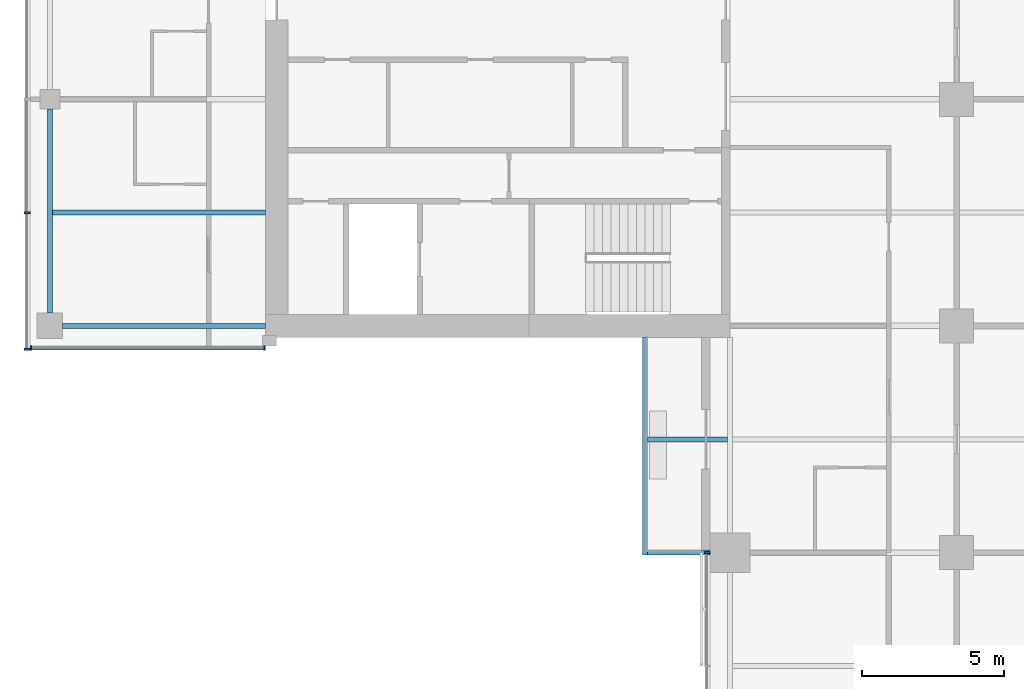
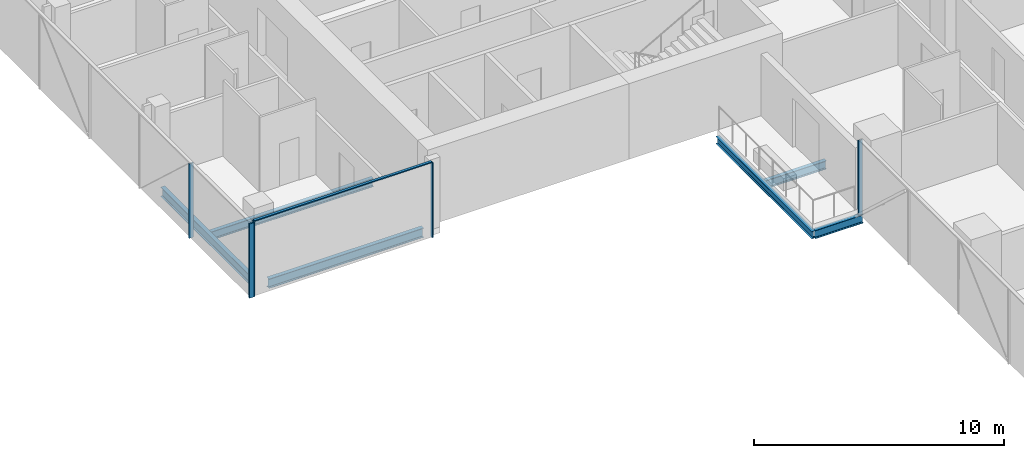
# One storey, part 3 of 27: 6 beams, 6 members, 3 elements without a shape of their own.
"""IFC4 building model written with IfcOpenShell, lengths in metres."""

from ifc_helpers import new_model, si_unit, direction, frame, origin, origin_2d, place, context, subcontext, project, spatial, rectangle, i_section, extrude, material, material_profile, profile_set, type_object, element, aggregate, save


model = new_model("IFC4")

# Units and contexts
model_context = context("Model", 3, precision=1e-05, world=origin(), true_north=direction((0.0, 1.0)))
body_context = subcontext(model_context, "Body", "Model", "MODEL_VIEW")
ifc_project = project(units=[si_unit("LENGTHUNIT", "METRE"), si_unit("AREAUNIT", "SQUARE_METRE"), si_unit("VOLUMEUNIT", "CUBIC_METRE"), si_unit("PLANEANGLEUNIT", "RADIAN"), si_unit("MASSUNIT", "GRAM", prefix="KILO")], contexts=[model_context])

# Site, building, storey
site_placement = place(None, origin())
site = spatial("IfcSite", under=ifc_project, at=site_placement, CompositionType="ELEMENT")
building_placement = place(site_placement, origin())
building = spatial("IfcBuilding", under=site, at=building_placement, Name="Crosswind Convention Tower", CompositionType="ELEMENT")
storey_placement = place(building_placement, frame((0.0, 0.0, 90.5)))
storey = spatial("IfcBuildingStorey", under=building, at=storey_placement, Name="L17", CompositionType="ELEMENT", Elevation=90.5)

# Beams
ifc_material_1 = material(Name="Steel S355", Category="steel")
ifc_material_profile_1 = material_profile(ifc_material_1, i_section(OverallWidth=0.177734375, OverallDepth=0.406494140625, WebThickness=0.0078125, FlangeThickness=0.0126953125, FilletRadius=0.01025390625, at=origin_2d()), Name="UB 406x178x60")
ifc_profile_set_1 = profile_set([ifc_material_profile_1], Name="Steel S355")
beam_type_1 = type_object("IfcBeamType", Name="Balcony cantilever UB 406x178x60", PredefinedType="BEAM", material=ifc_profile_set_1)
beam_1_placement = place(storey_placement, frame((112.90478515625, 84.0, -0.483154296875), z_axis=(-1.0, 0.0, 0.0), x_axis=(0.0, -1.0, 0.0)))
element("IfcBeam", 1, at=beam_1_placement, inside=storey, type_object=beam_type_1, Name="B35 L17 balcony cantilever SW 7", PredefinedType="BEAM", context=body_context, shape_type="SweptSolid", body=[
    extrude(i_section(OverallWidth=0.177734375, OverallDepth=0.406494140625, WebThickness=0.0078125, FlangeThickness=0.0126953125, FilletRadius=0.01025390625, at=origin_2d()), origin(), (0.0, 0.0, 1.0), 2.8193359375),
])
beam_2_placement = place(storey_placement, frame((112.300048828125, 80.0, -0.483154296875), z_axis=(-1.0, 0.0, 0.0), x_axis=(0.0, -1.0, 0.0)))
element("IfcBeam", 2, at=beam_2_placement, inside=storey, type_object=beam_type_1, Name="B35 L17 balcony cantilever SW 8", PredefinedType="BEAM", context=body_context, shape_type="SweptSolid", body=[
    extrude(i_section(OverallWidth=0.177734375, OverallDepth=0.406494140625, WebThickness=0.0078125, FlangeThickness=0.0126953125, FilletRadius=0.01025390625, at=origin_2d()), origin(), (0.0, 0.0, 1.0), 2.214599609375),
])
ifc_material_profile_2 = material_profile(ifc_material_1, i_section(OverallWidth=0.1708984375, OverallDepth=0.35205078125, WebThickness=0.0068359375, FlangeThickness=0.009765625, FilletRadius=0.01025390625, at=origin_2d()), Name="UB 356x171x45")
ifc_profile_set_2 = profile_set([ifc_material_profile_2], Name="Steel S355")
beam_type_2 = type_object("IfcBeamType", Name="Balcony edge beam UB 356x171x45", PredefinedType="BEAM", material=ifc_profile_set_2)
beam_3_placement = place(storey_placement, frame((110.0, 87.60009765625, -0.4560546875), z_axis=(0.0, -1.0, 0.0), x_axis=(1.0, 0.0, 0.0)))
element("IfcBeam", 3, at=beam_3_placement, inside=storey, type_object=beam_type_2, Name="B37 L17 balcony edge beam SW 9", PredefinedType="BEAM", context=body_context, shape_type="SweptSolid", body=[
    extrude(i_section(OverallWidth=0.1708984375, OverallDepth=0.35205078125, WebThickness=0.0068359375, FlangeThickness=0.009765625, FilletRadius=0.01025390625, at=origin_2d()), origin(), (0.0, 0.0, 1.0), 7.68896484375),
])
ifc_material_profile_3 = material_profile(ifc_material_1, i_section(OverallWidth=0.1904296875, OverallDepth=0.457275390625, WebThickness=0.009033203125, FlangeThickness=0.014404296875, FilletRadius=0.01025390625, at=origin_2d()), Name="UB 457x191x75")
ifc_profile_set_3 = profile_set([ifc_material_profile_3], Name="Steel S355")
beam_type_3 = type_object("IfcBeamType", Name="Edge beam UB 457x191x75", PredefinedType="SPANDREL", material=ifc_profile_set_3)
beam_4_placement = place(storey_placement, frame((89.0, 88.449951171875, -0.508544921875), z_axis=(0.0, 1.0, 0.0), x_axis=(-1.0, 0.0, 0.0)))
element("IfcBeam", 4, at=beam_4_placement, inside=storey, type_object=beam_type_3, Name="B17 L17 edge beam 1", PredefinedType="SPANDREL", context=body_context, shape_type="SweptSolid", body=[
    extrude(i_section(OverallWidth=0.1904296875, OverallDepth=0.457275390625, WebThickness=0.009033203125, FlangeThickness=0.014404296875, FilletRadius=0.01025390625, at=origin_2d()), origin(), (0.0, 0.0, 1.0), 7.199951171875),
])
beam_5_placement = place(storey_placement, frame((89.449951171875, 88.0, -0.508544921875), z_axis=(1.0, 0.0, 0.0), x_axis=(0.0, 1.0, 0.0)))
element("IfcBeam", 5, at=beam_5_placement, inside=storey, type_object=beam_type_3, Name="B17 L17 edge beam 4", PredefinedType="SPANDREL", context=body_context, shape_type="SweptSolid", body=[
    extrude(i_section(OverallWidth=0.1904296875, OverallDepth=0.457275390625, WebThickness=0.009033203125, FlangeThickness=0.014404296875, FilletRadius=0.01025390625, at=origin_2d()), origin(), (0.0, 0.0, 1.0), 7.150146484375),
])

# Curtain wall, members
ifc_material_2 = material(Name="Aluminium unitised curtain wall", Category="aluminium")
curtain_wall_type_1 = type_object("IfcCurtainWallType", Name="CORE END SLOT WALL 160", PredefinedType="USERDEFINED", material=ifc_material_2)
curtain_wall_1_placement = place(storey_placement, origin())
curtain_wall_1 = element("IfcCurtainWall", 6, at=curtain_wall_1_placement, inside=storey, type_object=curtain_wall_type_1, Name="CW6 L17 W-S.1-1 slot", ObjectType="UNITISED", PredefinedType="USERDEFINED")
ifc_material_3 = material(Name="Aluminium mullion", Category="aluminium")
ifc_material_profile_4 = material_profile(ifc_material_3, rectangle(XDim=0.159912109375, YDim=0.050048828125, at=origin_2d()), Name="AL 160X50")
ifc_profile_set_4 = profile_set([ifc_material_profile_4], Name="Aluminium mullion")
member_type_1 = type_object("IfcMemberType", Name="MULLION 50X160", PredefinedType="MULLION", material=ifc_profile_set_4)
member_1_placement = place(storey_placement, frame((88.324951171875, 87.219970703125, -0.280029296875), z_axis=(0.0, 0.0, 1.0), x_axis=(0.0, -1.0, 0.0)))
member_1 = element("IfcMember", 7, at=member_1_placement, type_object=member_type_1, Name="CW6 mullion 1", PredefinedType="MULLION", context=body_context, shape_type="SweptSolid", body=[
    extrude(rectangle(XDim=0.159912109375, YDim=0.050048828125, at=origin_2d()), origin(), (0.0, 0.0, 1.0), 3.650146484375),
])
member_2_placement = place(storey_placement, frame((96.574951171875, 87.219970703125, -0.280029296875), z_axis=(0.0, 0.0, 1.0), x_axis=(0.0, -1.0, 0.0)))
member_2 = element("IfcMember", 8, at=member_2_placement, type_object=member_type_1, Name="CW6 mullion 2", PredefinedType="MULLION", context=body_context, shape_type="SweptSolid", body=[
    extrude(rectangle(XDim=0.159912109375, YDim=0.050048828125, at=origin_2d()), origin(), (0.0, 0.0, 1.0), 3.650146484375),
])

curtain_wall_type_2 = type_object("IfcCurtainWallType", Name="HOTEL UNITISED WALL 200", PredefinedType="USERDEFINED", material=ifc_material_2)
curtain_wall_2_placement = place(storey_placement, origin())
curtain_wall_2 = element("IfcCurtainWall", 9, at=curtain_wall_2_placement, inside=storey, type_object=curtain_wall_type_2, Name="CW2 L17 W-TIP 1", ObjectType="UNITISED", PredefinedType="USERDEFINED")
ifc_material_profile_5 = material_profile(ifc_material_3, rectangle(XDim=0.199951171875, YDim=0.06494140625, at=origin_2d()), Name="AL 200X65")
ifc_profile_set_5 = profile_set([ifc_material_profile_5], Name="Aluminium mullion")
member_type_2 = type_object("IfcMemberType", Name="MULLION 65X200", PredefinedType="MULLION", material=ifc_profile_set_5)
member_3_placement = place(storey_placement, frame((88.199951171875, 92.0, -0.280029296875), z_axis=(0.0, 0.0, 1.0), x_axis=(-1.0, 0.0, 0.0)))
member_3 = element("IfcMember", 10, at=member_3_placement, type_object=member_type_2, Name="CW2 mullion 6", PredefinedType="MULLION", context=body_context, shape_type="SweptSolid", body=[
    extrude(rectangle(XDim=0.199951171875, YDim=0.06494140625, at=origin_2d()), origin(), (0.0, 0.0, 1.0), 3.635009765625),
])
member_4_placement = place(storey_placement, frame((88.199951171875, 87.172607421875, -0.280029296875), z_axis=(0.0, 0.0, 1.0), x_axis=(-1.0, 0.0, 0.0)))
member_4 = element("IfcMember", 11, at=member_4_placement, type_object=member_type_2, Name="CW2 mullion 7", PredefinedType="MULLION", context=body_context, shape_type="SweptSolid", body=[
    extrude(rectangle(XDim=0.199951171875, YDim=0.06494140625, at=origin_2d()), origin(), (0.0, 0.0, 1.0), 3.635009765625),
])
aggregate(curtain_wall_2, [member_3, member_4])

# Curtain wall, member
curtain_wall_3_placement = place(storey_placement, origin())
curtain_wall_3 = element("IfcCurtainWall", 12, at=curtain_wall_3_placement, inside=storey, type_object=curtain_wall_type_2, Name="CW2 L17 S-W 1", ObjectType="UNITISED", PredefinedType="USERDEFINED")
member_5_placement = place(storey_placement, frame((112.199951171875, 80.0, -0.280029296875), z_axis=(0.0, 0.0, 1.0), x_axis=(-1.0, 0.0, 0.0)))
member_5 = element("IfcMember", 13, at=member_5_placement, type_object=member_type_2, Name="CW2 mullion 1", PredefinedType="MULLION", context=body_context, shape_type="SweptSolid", body=[
    extrude(rectangle(XDim=0.199951171875, YDim=0.06494140625, at=origin_2d()), origin(), (0.0, 0.0, 1.0), 3.635009765625),
])
aggregate(curtain_wall_3, [member_5])

# Beam
ifc_material_profile_6 = material_profile(ifc_material_1, i_section(OverallWidth=0.177734375, OverallDepth=0.406494140625, WebThickness=0.0078125, FlangeThickness=0.0126953125, FilletRadius=0.01025390625, at=origin_2d()), Name="UB 406x178x60")
ifc_profile_set_6 = profile_set([ifc_material_profile_6], Name="Steel S355")
beam_type_4 = type_object("IfcBeamType", Name="Secondary beam UB 406x178x60", PredefinedType="JOIST", material=ifc_profile_set_6)
beam_6_placement = place(storey_placement, frame((89.09521484375, 92.0, -0.483154296875), z_axis=(1.0, 0.0, 0.0), x_axis=(0.0, 1.0, 0.0)))
element("IfcBeam", 14, at=beam_6_placement, inside=storey, type_object=beam_type_4, Name="B10 L17 secondary beam 1", PredefinedType="JOIST", context=body_context, shape_type="SweptSolid", body=[
    extrude(i_section(OverallWidth=0.177734375, OverallDepth=0.406494140625, WebThickness=0.0078125, FlangeThickness=0.0126953125, FilletRadius=0.01025390625, at=origin_2d()), origin(), (0.0, 0.0, 1.0), 7.5048828125),
])

# Member
ifc_material_4 = material(Name="Aluminium transom", Category="aluminium")
ifc_material_profile_7 = material_profile(ifc_material_4, rectangle(XDim=0.1201171875, YDim=0.050048828125, at=origin_2d()), Name="AL 120X50")
ifc_profile_set_7 = profile_set([ifc_material_profile_7], Name="Aluminium transom")
member_type_3 = type_object("IfcMemberType", Name="TRANSOM 50X120", PredefinedType="USERDEFINED", material=ifc_profile_set_7)
member_6_placement = place(storey_placement, frame((88.35009765625, 87.219970703125, 3.39501953125), z_axis=(1.0, 0.0, 0.0), x_axis=(0.0, 1.0, 0.0)))
member_6 = element("IfcMember", 15, at=member_6_placement, type_object=member_type_3, Name="CW6 transom", ObjectType="TRANSOM", PredefinedType="USERDEFINED", context=body_context, shape_type="SweptSolid", body=[
    extrude(rectangle(XDim=0.1201171875, YDim=0.050048828125, at=origin_2d()), origin(), (0.0, 0.0, 1.0), 8.199951171875),
])

aggregate(curtain_wall_1, [member_1, member_2, member_6])

save(model, "model.ifc")
